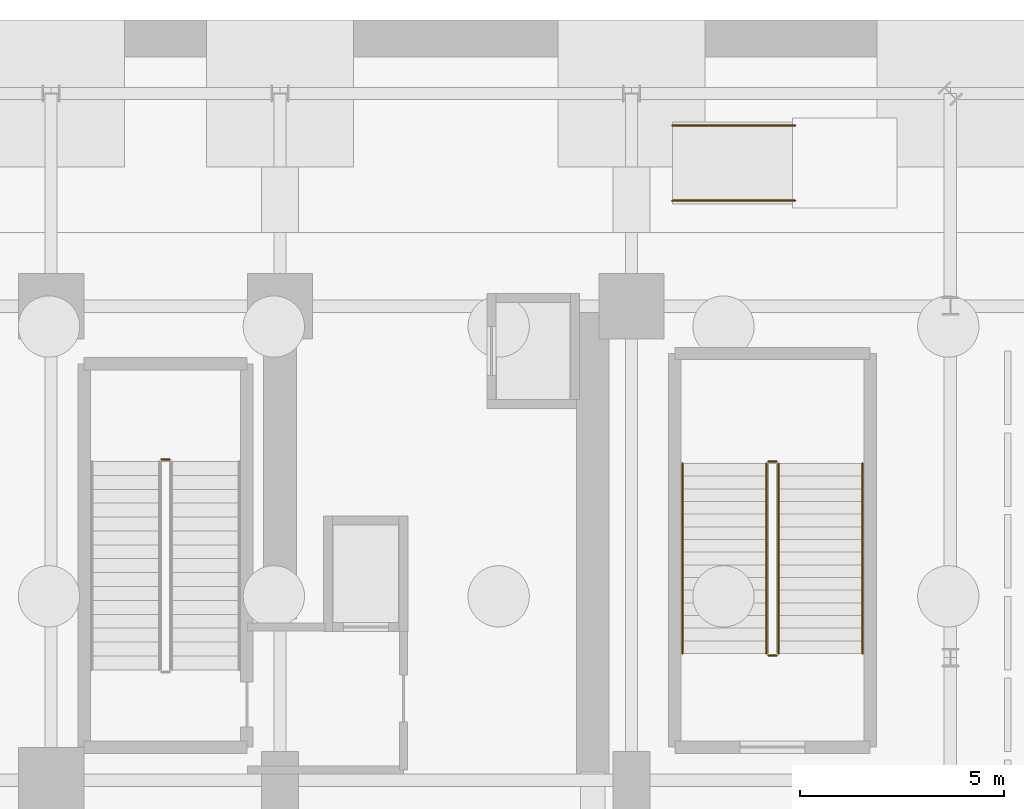
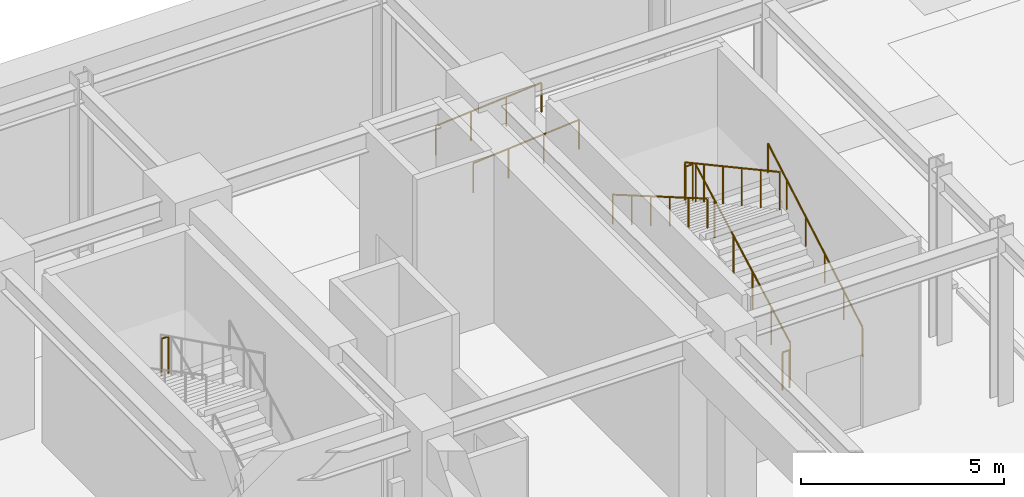
# One storey, part 13 of 14: 9 railings.
"""IFC4 building model written with IfcOpenShell, lengths in metres."""

from ifc_helpers import new_model, si_unit, direction, frame, origin, origin_2d, place, context, subcontext, project, spatial, circle, extrude, material, type_object, element, save


model = new_model("IFC4")

# Units and contexts
model_context = context("Model", 3, precision=1e-05, world=origin(), true_north=direction((0.0, 1.0)))
body_context = subcontext(model_context, "Body", "Model", "MODEL_VIEW")
ifc_project = project(units=[si_unit("LENGTHUNIT", "METRE"), si_unit("AREAUNIT", "SQUARE_METRE"), si_unit("VOLUMEUNIT", "CUBIC_METRE"), si_unit("PLANEANGLEUNIT", "RADIAN"), si_unit("MASSUNIT", "GRAM", prefix="KILO")], contexts=[model_context])

# Site, building, storey
site_placement = place(None, origin())
site = spatial("IfcSite", under=ifc_project, at=site_placement, CompositionType="ELEMENT")
building_placement = place(site_placement, origin())
building = spatial("IfcBuilding", under=site, at=building_placement, Name="Nahalor Promenade Grand Hotel", CompositionType="ELEMENT")
storey_placement = place(building_placement, frame((0.0, 0.0, -10.800048828125)))
storey = spatial("IfcBuildingStorey", under=building, at=storey_placement, Name="B02", CompositionType="ELEMENT", Elevation=-10.800048828125)

# Railings
ifc_material = material(Name="Steel S355JR", Category="steel")
railing_type_1 = type_object("IfcRailingType", Name="Steel Stair Guardrail 1150 mm", PredefinedType="GUARDRAIL", material=ifc_material)
railing_1_placement = place(storey_placement, frame((5.699951171875, 13.25, 2.699951171875)))
element("IfcRailing", 1, at=railing_1_placement, inside=storey, type_object=railing_type_1, Name="B02 ST1 stair guard 2", PredefinedType="GUARDRAIL", context=body_context, shape_type="SweptSolid", body=[
    extrude(circle(Radius=0.024048, at=origin_2d()), frame((0.0, 0.0, 1.1259765625), z_axis=(-1.0, 0.0, 0.0), x_axis=(0.0, -1.0, 0.0)), (0.0, 0.0, 1.0), 0.199951171875),
    extrude(circle(Radius=0.020996, at=origin_2d()), origin(), (0.0, 0.0, 1.0), 1.099853515625),
    extrude(circle(Radius=0.020996, at=origin_2d()), frame((-0.199951171875, 0.0, 0.0)), (0.0, 0.0, 1.0), 1.099853515625),
])
railing_2_placement = place(storey_placement, frame((20.60009765625, 8.5, 0.168701171875)))
element("IfcRailing", 2, at=railing_2_placement, inside=storey, type_object=railing_type_1, Name="B02 ST4 stair guard 1", PredefinedType="GUARDRAIL", context=body_context, shape_type="SweptSolid", body=[
    extrude(circle(Radius=0.024048, at=origin_2d()), frame((0.0, 0.0, 1.1259765625), z_axis=(0.0, 0.878297076953, 0.478115304728), x_axis=(-1.0, 0.0, 0.0)), (0.0, 0.0, 1.0), 5.294189453125),
    extrude(circle(Radius=0.020996, at=origin_2d()), origin(), (0.0, 0.0, 1.0), 1.099853515625),
    extrude(circle(Radius=0.020996, at=origin_2d()), frame((0.0, 0.929931640625, 0.50634765625)), (0.0, 0.0, 1.0), 1.099853515625),
    extrude(circle(Radius=0.020996, at=origin_2d()), frame((0.0, 1.85986328125, 1.012451171875)), (0.0, 0.0, 1.0), 1.099853515625),
    extrude(circle(Radius=0.020996, at=origin_2d()), frame((0.0, 2.7900390625, 1.518798828125)), (0.0, 0.0, 1.0), 1.099853515625),
    extrude(circle(Radius=0.020996, at=origin_2d()), frame((0.0, 3.719970703125, 2.02490234375)), (0.0, 0.0, 1.0), 1.099853515625),
    extrude(circle(Radius=0.020996, at=origin_2d()), frame((0.0, 4.64990234375, 2.53125)), (0.0, 0.0, 1.0), 1.099853515625),
])
railing_3_placement = place(storey_placement, frame((20.550048828125, 13.199951171875, 2.699951171875)))
element("IfcRailing", 3, at=railing_3_placement, inside=storey, type_object=railing_type_1, Name="B02 ST4 stair guard 2", PredefinedType="GUARDRAIL", context=body_context, shape_type="SweptSolid", body=[
    extrude(circle(Radius=0.024048, at=origin_2d()), frame((0.0, 0.0, 1.1259765625), z_axis=(-1.0, 0.0, 0.0), x_axis=(0.0, -1.0, 0.0)), (0.0, 0.0, 1.0), 0.199951171875),
    extrude(circle(Radius=0.020996, at=origin_2d()), origin(), (0.0, 0.0, 1.0), 1.099853515625),
    extrude(circle(Radius=0.020996, at=origin_2d()), frame((-0.199951171875, 0.0, 0.0)), (0.0, 0.0, 1.0), 1.099853515625),
])
railing_4_placement = place(storey_placement, frame((20.300048828125, 13.14990234375, 2.868896484375)))
element("IfcRailing", 4, at=railing_4_placement, inside=storey, type_object=railing_type_1, Name="B02 ST4 stair guard 3", PredefinedType="GUARDRAIL", context=body_context, shape_type="SweptSolid", body=[
    extrude(circle(Radius=0.024048, at=origin_2d()), frame((0.0, 0.0, 1.1259765625), z_axis=(0.0, -0.878297076953, 0.478115304728), x_axis=(1.0, 0.0, 0.0)), (0.0, 0.0, 1.0), 5.294189453125),
    extrude(circle(Radius=0.020996, at=origin_2d()), origin(), (0.0, 0.0, 1.0), 1.099853515625),
    extrude(circle(Radius=0.020996, at=origin_2d()), frame((0.0, -0.929931640625, 0.50634765625)), (0.0, 0.0, 1.0), 1.099853515625),
    extrude(circle(Radius=0.020996, at=origin_2d()), frame((0.0, -1.85986328125, 1.012451171875)), (0.0, 0.0, 1.0), 1.099853515625),
    extrude(circle(Radius=0.020996, at=origin_2d()), frame((0.0, -2.7900390625, 1.518798828125)), (0.0, 0.0, 1.0), 1.099853515625),
    extrude(circle(Radius=0.020996, at=origin_2d()), frame((0.0, -3.719970703125, 2.02490234375)), (0.0, 0.0, 1.0), 1.099853515625),
    extrude(circle(Radius=0.020996, at=origin_2d()), frame((0.0, -4.64990234375, 2.53125)), (0.0, 0.0, 1.0), 1.099853515625),
])
railing_5_placement = place(storey_placement, frame((20.550048828125, 8.449951171875, 0.0)))
element("IfcRailing", 5, at=railing_5_placement, inside=storey, type_object=railing_type_1, Name="B02 ST4 stair guard 4", PredefinedType="GUARDRAIL", context=body_context, shape_type="SweptSolid", body=[
    extrude(circle(Radius=0.024048, at=origin_2d()), frame((0.0, 0.0, 1.1259765625), z_axis=(-1.0, 0.0, 0.0), x_axis=(0.0, -1.0, 0.0)), (0.0, 0.0, 1.0), 0.199951171875),
    extrude(circle(Radius=0.020996, at=origin_2d()), origin(), (0.0, 0.0, 1.0), 1.099853515625),
    extrude(circle(Radius=0.020996, at=origin_2d()), frame((-0.199951171875, 0.0, 0.0)), (0.0, 0.0, 1.0), 1.099853515625),
])
railing_type_2 = type_object("IfcRailingType", Name="Steel Stair Handrail 900 mm", PredefinedType="HANDRAIL", material=ifc_material)
railing_6_placement = place(storey_placement, frame((22.64990234375, 8.5, 0.168701171875)))
element("IfcRailing", 6, at=railing_6_placement, inside=storey, type_object=railing_type_2, Name="B02 ST4 stair handrail 1", PredefinedType="HANDRAIL", context=body_context, shape_type="SweptSolid", body=[
    extrude(circle(Radius=0.024048, at=origin_2d()), frame((0.0, 0.0, 0.8759765625), z_axis=(0.0, 0.864768593507, 0.502170568318), x_axis=(-1.0, 0.0, 0.0)), (0.0, 0.0, 1.0), 5.376953125),
    extrude(circle(Radius=0.020996, at=origin_2d()), origin(), (0.0, 0.0, 1.0), 0.849853515625),
    extrude(circle(Radius=0.020996, at=origin_2d()), frame((0.0, 0.929931640625, 0.5400390625)), (0.0, 0.0, 1.0), 0.849853515625),
    extrude(circle(Radius=0.020996, at=origin_2d()), frame((0.0, 1.85986328125, 1.080078125)), (0.0, 0.0, 1.0), 0.849853515625),
    extrude(circle(Radius=0.020996, at=origin_2d()), frame((0.0, 2.7900390625, 1.6201171875)), (0.0, 0.0, 1.0), 0.849853515625),
    extrude(circle(Radius=0.020996, at=origin_2d()), frame((0.0, 3.719970703125, 2.16015625)), (0.0, 0.0, 1.0), 0.849853515625),
    extrude(circle(Radius=0.020996, at=origin_2d()), frame((0.0, 4.64990234375, 2.7001953125)), (0.0, 0.0, 1.0), 0.849853515625),
])
railing_7_placement = place(storey_placement, frame((18.25, 13.14990234375, 2.868896484375)))
element("IfcRailing", 7, at=railing_7_placement, inside=storey, type_object=railing_type_2, Name="B02 ST4 stair handrail 2", PredefinedType="HANDRAIL", context=body_context, shape_type="SweptSolid", body=[
    extrude(circle(Radius=0.024048, at=origin_2d()), frame((0.0, 0.0, 0.8759765625), z_axis=(0.0, -0.864788310583, 0.502136612766), x_axis=(1.0, 0.0, 0.0)), (0.0, 0.0, 1.0), 5.376953125),
    extrude(circle(Radius=0.020996, at=origin_2d()), origin(), (0.0, 0.0, 1.0), 0.849853515625),
    extrude(circle(Radius=0.020996, at=origin_2d()), frame((0.0, -0.929931640625, 0.5400390625)), (0.0, 0.0, 1.0), 0.849853515625),
    extrude(circle(Radius=0.020996, at=origin_2d()), frame((0.0, -1.85986328125, 1.080078125)), (0.0, 0.0, 1.0), 0.849853515625),
    extrude(circle(Radius=0.020996, at=origin_2d()), frame((0.0, -2.7900390625, 1.619873046875)), (0.0, 0.0, 1.0), 0.849853515625),
    extrude(circle(Radius=0.020996, at=origin_2d()), frame((0.0, -3.719970703125, 2.159912109375)), (0.0, 0.0, 1.0), 0.849853515625),
    extrude(circle(Radius=0.020996, at=origin_2d()), frame((0.0, -4.64990234375, 2.699951171875)), (0.0, 0.0, 1.0), 0.849853515625),
])
for number, where, name in (
    (8, (18.0, 19.580078125, 0.0), "RL-PED-2-L"),
    (9, (18.0, 21.419921875, 0.0), "RL-PED-2-R"),
):
    element("IfcRailing", number, at=place(storey_placement, frame(where)), inside=storey, type_object=railing_type_2, Name=name, PredefinedType="HANDRAIL", context=body_context, shape_type="SweptSolid", body=[
        extrude(circle(Radius=0.024048, at=origin_2d()), frame((0.0, 0.0, 0.8759765625), z_axis=(0.996545758245, 0.0, 0.083045479854), x_axis=(0.0, 1.0, 0.0)), (0.0, 0.0, 1.0), 3.010498046875),
        extrude(circle(Radius=0.020996, at=origin_2d()), origin(), (0.0, 0.0, 1.0), 0.849853515625),
        extrude(circle(Radius=0.020996, at=origin_2d()), frame((1.0, 0.0, 0.083251953125)), (0.0, 0.0, 1.0), 0.849853515625),
        extrude(circle(Radius=0.020996, at=origin_2d()), frame((2.0, 0.0, 0.166748046875)), (0.0, 0.0, 1.0), 0.849853515625),
        extrude(circle(Radius=0.020996, at=origin_2d()), frame((3.0, 0.0, 0.25)), (0.0, 0.0, 1.0), 0.849853515625),
    ])

save(model, "model.ifc")
